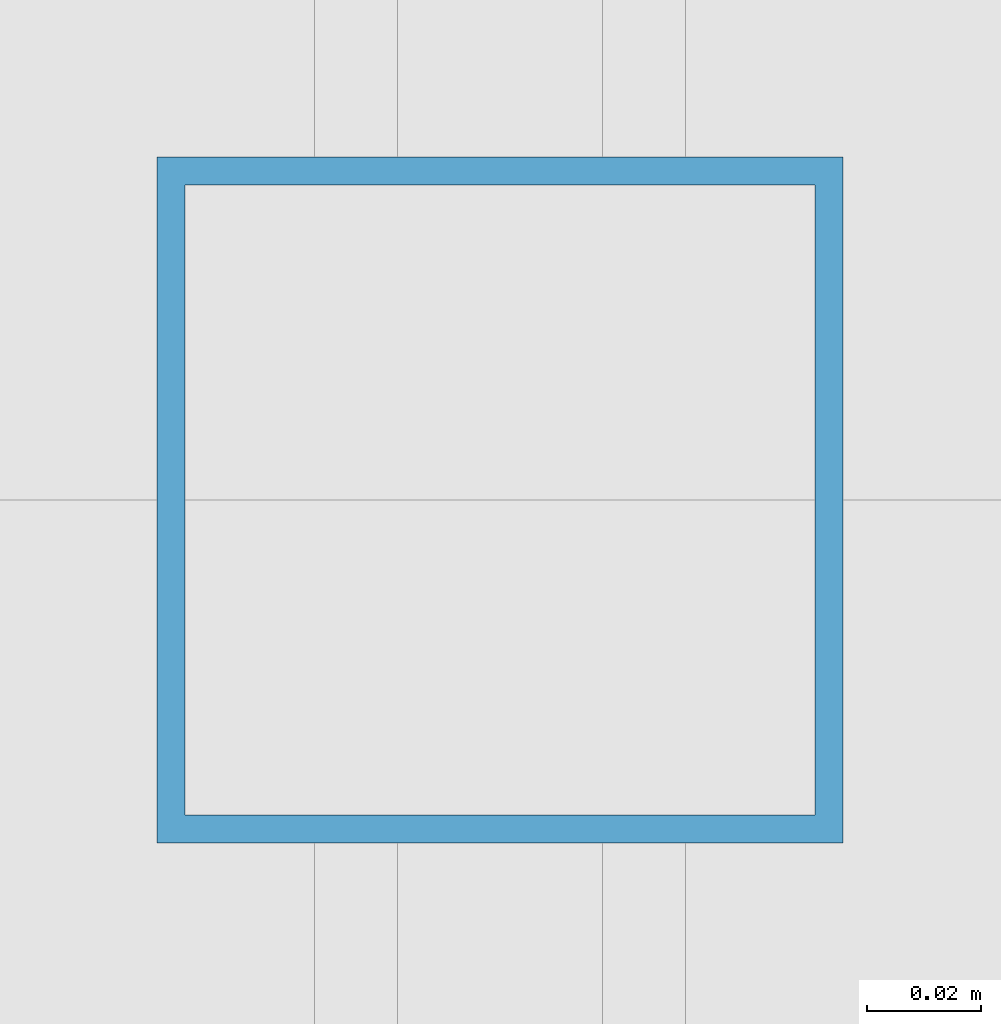
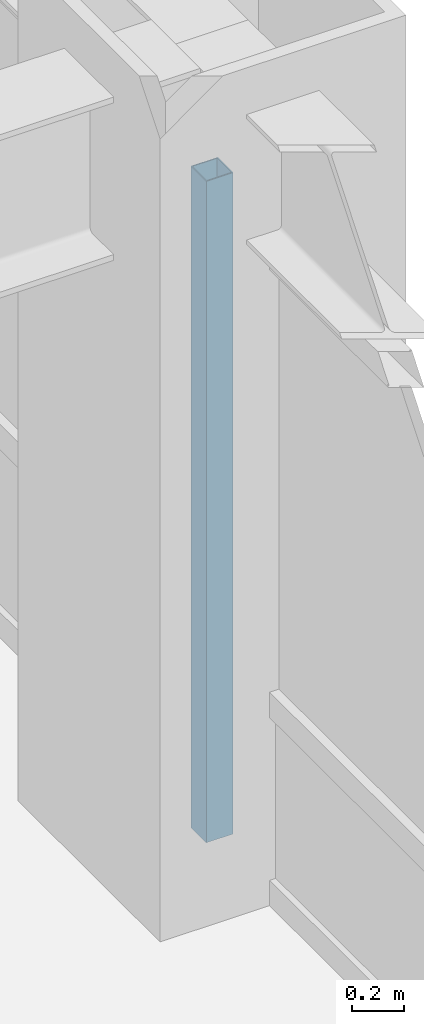
# One storey, part 10 of 24: 1 member, 1 element without a shape of its own.
"""IFC4 building model written with IfcOpenShell, lengths in metres."""

from ifc_helpers import new_model, si_unit, direction, frame, origin, origin_2d, place, context, subcontext, project, spatial, hollow_rectangle, extrude, source, transform, mapped, material, material_profile, profile_set, type_object, element, aggregate, save


model = new_model("IFC4")

# Units and contexts
model_context = context("Model", 3, precision=1e-05, world=origin(), true_north=direction((0.0, 1.0)))
body_context = subcontext(model_context, "Body", "Model", "MODEL_VIEW")
ifc_project = project(units=[si_unit("LENGTHUNIT", "METRE"), si_unit("AREAUNIT", "SQUARE_METRE"), si_unit("VOLUMEUNIT", "CUBIC_METRE"), si_unit("PLANEANGLEUNIT", "RADIAN"), si_unit("MASSUNIT", "GRAM", prefix="KILO")], contexts=[model_context])

# Site, building, storey
site_placement = place(None, origin())
site = spatial("IfcSite", under=ifc_project, at=site_placement, CompositionType="ELEMENT")
building_placement = place(site_placement, origin())
building = spatial("IfcBuilding", under=site, at=building_placement, Name="Khorayat Bourse Tower", CompositionType="ELEMENT")
storey_placement = place(building_placement, frame((0.0, 0.0, 159.10009765625)))
storey = spatial("IfcBuildingStorey", under=building, at=storey_placement, Name="L36", CompositionType="ELEMENT", Elevation=159.10009765625)

# Curtain wall, member
ifc_material = material(Name="Aluminium EN AW-6063 T6", Category="aluminium")
curtain_wall_type = type_object("IfcCurtainWallType", Name="CW-SYS-03", PredefinedType="NOTDEFINED", material=ifc_material)
curtain_wall_placement = place(storey_placement, origin())
curtain_wall = element("IfcCurtainWall", 1, at=curtain_wall_placement, inside=storey, type_object=curtain_wall_type, Name="L36 Curtain Wall CW-L36-E1", PredefinedType="NOTDEFINED")
ifc_material_profile = material_profile(ifc_material, hollow_rectangle(XDim=0.1201171875, YDim=0.1201171875, WallThickness=0.0048828125, at=origin_2d()), Name="ALU 120x120x5")
ifc_profile_set = profile_set([ifc_material_profile], Name="Aluminium EN AW-6063 T6")
member_type = type_object("IfcMemberType", Name="CWM-VERT-120", PredefinedType="MULLION", material=ifc_profile_set)
shared_shape = source(origin(), body_context, "Body", "SweptSolid", [
    extrude(hollow_rectangle(XDim=0.1201171875, YDim=0.1201171875, WallThickness=0.0048828125, at=origin_2d()), origin(), (0.0, 0.0, 1.0), 3.1298828125),
])
member_placement = place(storey_placement, frame((30.0, 0.0, 0.0), z_axis=(0.0, 0.0, 1.0), x_axis=(-1.0, 0.0, 0.0)))
member = element("IfcMember", 2, at=member_placement, type_object=member_type, Name="CW-L36-E1 Vertical Mullion 2", PredefinedType="MULLION", context=body_context, shape_type="MappedRepresentation", body=[
    mapped(shared_shape, transform((0.0, 0.0, 0.0), scale=1.0)),
])
aggregate(curtain_wall, [member])

save(model, "model.ifc")
